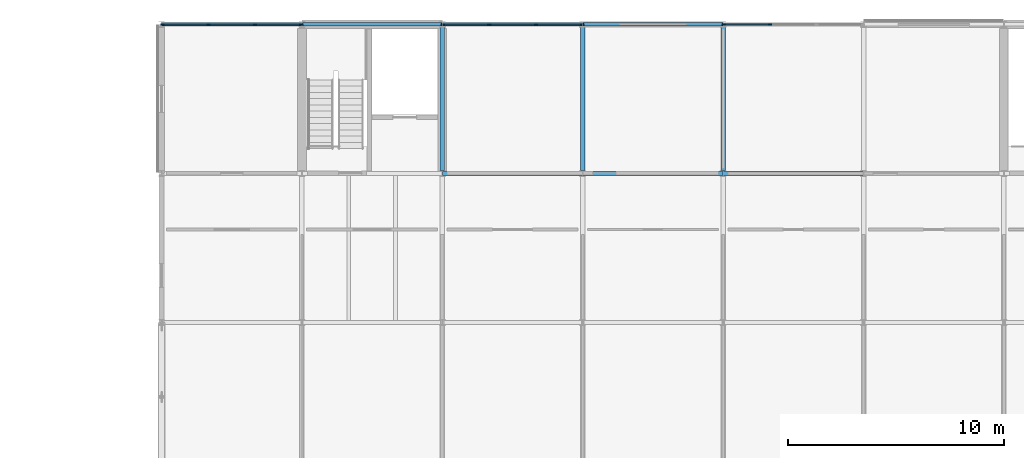
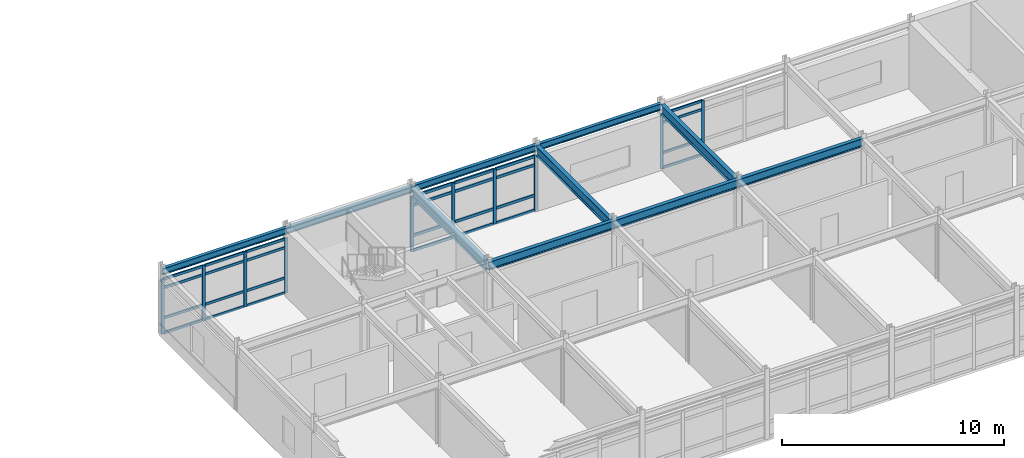
# One storey, part 27 of 57: 38 members, 10 beams, 3 elements without a shape of their own.
"""IFC4 building model written with IfcOpenShell, lengths in metres."""

from ifc_helpers import new_model, si_unit, direction, frame, origin, origin_2d, place, context, subcontext, project, spatial, rectangle, i_section, extrude, material, layer, layer_set, material_profile, profile_set, type_object, element, aggregate, save


model = new_model("IFC4")

# Units and contexts
model_context = context("Model", 3, precision=1e-05, world=origin(), true_north=direction((0.0, 1.0)))
body_context = subcontext(model_context, "Body", "Model", "MODEL_VIEW")
ifc_project = project(units=[si_unit("LENGTHUNIT", "METRE"), si_unit("AREAUNIT", "SQUARE_METRE"), si_unit("VOLUMEUNIT", "CUBIC_METRE"), si_unit("PLANEANGLEUNIT", "RADIAN"), si_unit("MASSUNIT", "GRAM", prefix="KILO")], contexts=[model_context])

# Site, building, storey
site_placement = place(None, origin())
site = spatial("IfcSite", under=ifc_project, at=site_placement, CompositionType="ELEMENT")
building_placement = place(site_placement, origin())
building = spatial("IfcBuilding", under=site, at=building_placement, Name="Trelmorton Wharf Fire Station", CompositionType="ELEMENT")
storey_placement = place(building_placement, frame((0.0, 0.0, 13.5)))
storey = spatial("IfcBuildingStorey", under=building, at=storey_placement, Name="L03", CompositionType="ELEMENT", Elevation=13.5)

# Beams
ifc_material_1 = material(Name="Steel Grade 350", Category="steel")
ifc_material_profile_1 = material_profile(ifc_material_1, i_section(OverallWidth=0.18994140625, OverallDepth=0.45703125, WebThickness=0.009033203125, FlangeThickness=0.014404296875, FilletRadius=0.011474609375, at=origin_2d()), Name="460UB74.6")
ifc_profile_set_1 = profile_set([ifc_material_profile_1], Name="Steel Grade 350")
beam_type_1 = type_object("IfcBeamType", Name="BM_460UB75", PredefinedType="BEAM", material=ifc_profile_set_1)
for number, where, z_axis, x_axis, name in (
    (1, (117.00390625, 74.10009765625, 3.401611328125), (1.0, 0.0, 0.0), (0.0, 1.0, 0.0), "BM-L03-0947"),
    (2, (123.50390625, 74.10009765625, 3.401611328125), (1.0, 0.0, 0.0), (0.0, 1.0, 0.0), "BM-L03-0948"),
    (3, (130.00390625, 74.10009765625, 3.401611328125), (1.0, 0.0, 0.0), (0.0, 1.0, 0.0), "BM-L03-0949"),
):
    element("IfcBeam", number, at=place(storey_placement, frame(where, z_axis=z_axis, x_axis=x_axis)), inside=storey, type_object=beam_type_1, Name=name, PredefinedType="BEAM", context=body_context, shape_type="SweptSolid", body=[
        extrude(i_section(OverallWidth=0.18994140625, OverallDepth=0.45703125, WebThickness=0.009033203125, FlangeThickness=0.014404296875, FilletRadius=0.011474609375, at=origin_2d()), origin(), (0.0, 0.0, 1.0), 6.4921875),
    ])
ifc_material_profile_2 = material_profile(ifc_material_1, i_section(OverallWidth=0.208984375, OverallDepth=0.532958984375, WebThickness=0.01025390625, FlangeThickness=0.015625, FilletRadius=0.013916015625, at=origin_2d()), Name="530UB92.4")
ifc_profile_set_2 = profile_set([ifc_material_profile_2], Name="Steel Grade 350")
beam_type_2 = type_object("IfcBeamType", Name="BM_530UB92", PredefinedType="BEAM", material=ifc_profile_set_2)
for number, where, z_axis, x_axis, name in (
    (4, (117.0, 74.22607421875, 3.363525390625), (0.0, 1.0, 0.0), (-1.0, 0.0, 0.0), "BM-L03-0994"),
    (5, (123.5, 74.22607421875, 3.363525390625), (0.0, 1.0, 0.0), (-1.0, 0.0, 0.0), "BM-L03-1000"),
    (6, (130.0, 74.22607421875, 3.363525390625), (0.0, 1.0, 0.0), (-1.0, 0.0, 0.0), "BM-L03-1006"),
):
    element("IfcBeam", number, at=place(storey_placement, frame(where, z_axis=z_axis, x_axis=x_axis)), inside=storey, type_object=beam_type_2, Name=name, PredefinedType="BEAM", context=body_context, shape_type="SweptSolid", body=[
        extrude(i_section(OverallWidth=0.208984375, OverallDepth=0.532958984375, WebThickness=0.01025390625, FlangeThickness=0.015625, FilletRadius=0.013916015625, at=origin_2d()), origin(), (0.0, 0.0, 1.0), 6.64794921875),
    ])

# Curtain wall, members
ifc_material_2 = material(Name="Anodised aluminium AW-6063", Category="aluminium")
ifc_layer = layer(ifc_material_2, 0.14990234375)
ifc_layer_set = layer_set([ifc_layer], Name="Anodised aluminium AW-6063")
curtain_wall_type = type_object("IfcCurtainWallType", Name="CW_UNIT_A", PredefinedType="USERDEFINED", material=ifc_layer_set)
curtain_wall_1_placement = place(storey_placement, origin())
curtain_wall_1 = element("IfcCurtainWall", 7, at=curtain_wall_1_placement, inside=storey, type_object=curtain_wall_type, Name="CW-V4-L03-151", ObjectType="UNITISED CURTAIN WALL", PredefinedType="USERDEFINED")
ifc_material_profile_3 = material_profile(ifc_material_2, rectangle(XDim=0.06494140625, YDim=0.159912109375, at=origin_2d()), Name="ALU-65x160")
ifc_profile_set_3 = profile_set([ifc_material_profile_3], Name="Anodised aluminium AW-6063")
member_type_1 = type_object("IfcMemberType", Name="CWM_65x160", PredefinedType="MULLION", material=ifc_profile_set_3)
member_1_placement = place(storey_placement, frame((104.034912109375, 81.0, 0.0), z_axis=(0.0, 0.0, 1.0), x_axis=(0.0, 1.0, 0.0)))
member_1 = element("IfcMember", 8, at=member_1_placement, type_object=member_type_1, Name="CW3 mullion 1", PredefinedType="MULLION", context=body_context, shape_type="SweptSolid", body=[
    extrude(rectangle(XDim=0.06494140625, YDim=0.159912109375, at=origin_2d()), origin(), (0.0, 0.0, 1.0), 3.02001953125),
])
member_2_placement = place(storey_placement, frame((106.168212890625, 81.0, 0.0), z_axis=(0.0, 0.0, 1.0), x_axis=(0.0, 1.0, 0.0)))
member_2 = element("IfcMember", 9, at=member_2_placement, type_object=member_type_1, Name="CW3 mullion 2", PredefinedType="MULLION", context=body_context, shape_type="SweptSolid", body=[
    extrude(rectangle(XDim=0.06494140625, YDim=0.159912109375, at=origin_2d()), origin(), (0.0, 0.0, 1.0), 3.02001953125),
])
member_3_placement = place(storey_placement, frame((108.331787109375, 81.0, 0.0), z_axis=(0.0, 0.0, 1.0), x_axis=(0.0, 1.0, 0.0)))
member_3 = element("IfcMember", 10, at=member_3_placement, type_object=member_type_1, Name="CW3 mullion 3", PredefinedType="MULLION", context=body_context, shape_type="SweptSolid", body=[
    extrude(rectangle(XDim=0.06494140625, YDim=0.159912109375, at=origin_2d()), origin(), (0.0, 0.0, 1.0), 3.02001953125),
])
member_4_placement = place(storey_placement, frame((110.465087890625, 81.0, 0.0), z_axis=(0.0, 0.0, 1.0), x_axis=(0.0, 1.0, 0.0)))
member_4 = element("IfcMember", 11, at=member_4_placement, type_object=member_type_1, Name="CW3 mullion 4", PredefinedType="MULLION", context=body_context, shape_type="SweptSolid", body=[
    extrude(rectangle(XDim=0.06494140625, YDim=0.159912109375, at=origin_2d()), origin(), (0.0, 0.0, 1.0), 3.02001953125),
])

curtain_wall_2_placement = place(storey_placement, origin())
curtain_wall_2 = element("IfcCurtainWall", 12, at=curtain_wall_2_placement, inside=storey, type_object=curtain_wall_type, Name="CW-V4-L03-153", ObjectType="UNITISED CURTAIN WALL", PredefinedType="USERDEFINED")
member_5_placement = place(storey_placement, frame((130.034912109375, 81.0, 0.0), z_axis=(0.0, 0.0, 1.0), x_axis=(0.0, 1.0, 0.0)))
member_5 = element("IfcMember", 13, at=member_5_placement, type_object=member_type_1, Name="CW3 mullion 1", PredefinedType="MULLION", context=body_context, shape_type="SweptSolid", body=[
    extrude(rectangle(XDim=0.06494140625, YDim=0.159912109375, at=origin_2d()), origin(), (0.0, 0.0, 1.0), 3.02001953125),
])
member_6_placement = place(storey_placement, frame((132.168212890625, 81.0, 0.0), z_axis=(0.0, 0.0, 1.0), x_axis=(0.0, 1.0, 0.0)))
member_6 = element("IfcMember", 14, at=member_6_placement, type_object=member_type_1, Name="CW3 mullion 2", PredefinedType="MULLION", context=body_context, shape_type="SweptSolid", body=[
    extrude(rectangle(XDim=0.06494140625, YDim=0.159912109375, at=origin_2d()), origin(), (0.0, 0.0, 1.0), 3.02001953125),
])

curtain_wall_3_placement = place(storey_placement, origin())
curtain_wall_3 = element("IfcCurtainWall", 15, at=curtain_wall_3_placement, inside=storey, type_object=curtain_wall_type, Name="CW-V4-L03-152", ObjectType="UNITISED CURTAIN WALL", PredefinedType="USERDEFINED")
ifc_material_profile_4 = material_profile(ifc_material_2, rectangle(XDim=0.074951171875, YDim=0.175048828125, at=origin_2d()), Name="ALU-75x175")
ifc_profile_set_4 = profile_set([ifc_material_profile_4], Name="Anodised aluminium AW-6063")
member_type_2 = type_object("IfcMemberType", Name="CWM_75x175", PredefinedType="MULLION", material=ifc_profile_set_4)
member_7_placement = place(storey_placement, frame((117.034912109375, 81.0, 0.0), z_axis=(0.0, 0.0, 1.0), x_axis=(0.0, 1.0, 0.0)))
member_7 = element("IfcMember", 16, at=member_7_placement, type_object=member_type_2, Name="CW3 mullion 1", PredefinedType="MULLION", context=body_context, shape_type="SweptSolid", body=[
    extrude(rectangle(XDim=0.074951171875, YDim=0.175048828125, at=origin_2d()), origin(), (0.0, 0.0, 1.0), 3.02001953125),
])
member_8_placement = place(storey_placement, frame((119.168212890625, 81.0, 0.0), z_axis=(0.0, 0.0, 1.0), x_axis=(0.0, 1.0, 0.0)))
member_8 = element("IfcMember", 17, at=member_8_placement, type_object=member_type_2, Name="CW3 mullion 2", PredefinedType="MULLION", context=body_context, shape_type="SweptSolid", body=[
    extrude(rectangle(XDim=0.074951171875, YDim=0.175048828125, at=origin_2d()), origin(), (0.0, 0.0, 1.0), 3.02001953125),
])
member_9_placement = place(storey_placement, frame((121.331787109375, 81.0, 0.0), z_axis=(0.0, 0.0, 1.0), x_axis=(0.0, 1.0, 0.0)))
member_9 = element("IfcMember", 18, at=member_9_placement, type_object=member_type_2, Name="CW3 mullion 3", PredefinedType="MULLION", context=body_context, shape_type="SweptSolid", body=[
    extrude(rectangle(XDim=0.074951171875, YDim=0.175048828125, at=origin_2d()), origin(), (0.0, 0.0, 1.0), 3.02001953125),
])
member_10_placement = place(storey_placement, frame((123.465087890625, 81.0, 0.0), z_axis=(0.0, 0.0, 1.0), x_axis=(0.0, 1.0, 0.0)))
member_10 = element("IfcMember", 19, at=member_10_placement, type_object=member_type_2, Name="CW3 mullion 4", PredefinedType="MULLION", context=body_context, shape_type="SweptSolid", body=[
    extrude(rectangle(XDim=0.074951171875, YDim=0.175048828125, at=origin_2d()), origin(), (0.0, 0.0, 1.0), 3.02001953125),
])

# Member
ifc_material_profile_5 = material_profile(ifc_material_2, rectangle(XDim=0.06494140625, YDim=0.139892578125, at=origin_2d()), Name="ALU-65x140")
ifc_profile_set_5 = profile_set([ifc_material_profile_5], Name="Anodised aluminium AW-6063")
member_type_3 = type_object("IfcMemberType", Name="CWT_65x140", PredefinedType="USERDEFINED", material=ifc_profile_set_5)
member_11_placement = place(storey_placement, frame((104.06494140625, 81.0, 0.030029296875), z_axis=(1.0, 0.0, 0.0), x_axis=(0.0, 1.0, 0.0)))
member_11 = element("IfcMember", 20, at=member_11_placement, type_object=member_type_3, Name="CW3 transom 1.1", ObjectType="TRANSOM", PredefinedType="USERDEFINED", context=body_context, shape_type="SweptSolid", body=[
    extrude(rectangle(XDim=0.06494140625, YDim=0.139892578125, at=origin_2d()), origin(), (0.0, 0.0, 1.0), 2.073486328125),
])

member_12_placement = place(storey_placement, frame((104.06494140625, 81.0, 0.85009765625), z_axis=(1.0, 0.0, 0.0), x_axis=(0.0, 1.0, 0.0)))
member_12 = element("IfcMember", 21, at=member_12_placement, type_object=member_type_3, Name="CW3 transom 1.2", ObjectType="TRANSOM", PredefinedType="USERDEFINED", context=body_context, shape_type="SweptSolid", body=[
    extrude(rectangle(XDim=0.06494140625, YDim=0.139892578125, at=origin_2d()), origin(), (0.0, 0.0, 1.0), 2.073486328125),
])

member_13_placement = place(storey_placement, frame((104.06494140625, 81.0, 2.52001953125), z_axis=(1.0, 0.0, 0.0), x_axis=(0.0, 1.0, 0.0)))
member_13 = element("IfcMember", 22, at=member_13_placement, type_object=member_type_3, Name="CW3 transom 1.3", ObjectType="TRANSOM", PredefinedType="USERDEFINED", context=body_context, shape_type="SweptSolid", body=[
    extrude(rectangle(XDim=0.06494140625, YDim=0.139892578125, at=origin_2d()), origin(), (0.0, 0.0, 1.0), 2.073486328125),
])

member_14_placement = place(storey_placement, frame((104.06494140625, 81.0, 2.989990234375), z_axis=(1.0, 0.0, 0.0), x_axis=(0.0, 1.0, 0.0)))
member_14 = element("IfcMember", 23, at=member_14_placement, type_object=member_type_3, Name="CW3 transom 1.4", ObjectType="TRANSOM", PredefinedType="USERDEFINED", context=body_context, shape_type="SweptSolid", body=[
    extrude(rectangle(XDim=0.06494140625, YDim=0.139892578125, at=origin_2d()), origin(), (0.0, 0.0, 1.0), 2.073486328125),
])

member_15_placement = place(storey_placement, frame((106.1982421875, 81.0, 0.030029296875), z_axis=(1.0, 0.0, 0.0), x_axis=(0.0, 1.0, 0.0)))
member_15 = element("IfcMember", 24, at=member_15_placement, type_object=member_type_3, Name="CW3 transom 2.1", ObjectType="TRANSOM", PredefinedType="USERDEFINED", context=body_context, shape_type="SweptSolid", body=[
    extrude(rectangle(XDim=0.06494140625, YDim=0.139892578125, at=origin_2d()), origin(), (0.0, 0.0, 1.0), 2.103515625),
])

member_16_placement = place(storey_placement, frame((106.1982421875, 81.0, 0.85009765625), z_axis=(1.0, 0.0, 0.0), x_axis=(0.0, 1.0, 0.0)))
member_16 = element("IfcMember", 25, at=member_16_placement, type_object=member_type_3, Name="CW3 transom 2.2", ObjectType="TRANSOM", PredefinedType="USERDEFINED", context=body_context, shape_type="SweptSolid", body=[
    extrude(rectangle(XDim=0.06494140625, YDim=0.139892578125, at=origin_2d()), origin(), (0.0, 0.0, 1.0), 2.103515625),
])

member_17_placement = place(storey_placement, frame((106.1982421875, 81.0, 2.52001953125), z_axis=(1.0, 0.0, 0.0), x_axis=(0.0, 1.0, 0.0)))
member_17 = element("IfcMember", 26, at=member_17_placement, type_object=member_type_3, Name="CW3 transom 2.3", ObjectType="TRANSOM", PredefinedType="USERDEFINED", context=body_context, shape_type="SweptSolid", body=[
    extrude(rectangle(XDim=0.06494140625, YDim=0.139892578125, at=origin_2d()), origin(), (0.0, 0.0, 1.0), 2.103515625),
])

member_18_placement = place(storey_placement, frame((106.1982421875, 81.0, 2.989990234375), z_axis=(1.0, 0.0, 0.0), x_axis=(0.0, 1.0, 0.0)))
member_18 = element("IfcMember", 27, at=member_18_placement, type_object=member_type_3, Name="CW3 transom 2.4", ObjectType="TRANSOM", PredefinedType="USERDEFINED", context=body_context, shape_type="SweptSolid", body=[
    extrude(rectangle(XDim=0.06494140625, YDim=0.139892578125, at=origin_2d()), origin(), (0.0, 0.0, 1.0), 2.103515625),
])

member_19_placement = place(storey_placement, frame((108.361572265625, 81.0, 0.030029296875), z_axis=(1.0, 0.0, 0.0), x_axis=(0.0, 1.0, 0.0)))
member_19 = element("IfcMember", 28, at=member_19_placement, type_object=member_type_3, Name="CW3 transom 3.1", ObjectType="TRANSOM", PredefinedType="USERDEFINED", context=body_context, shape_type="SweptSolid", body=[
    extrude(rectangle(XDim=0.06494140625, YDim=0.139892578125, at=origin_2d()), origin(), (0.0, 0.0, 1.0), 2.073486328125),
])

member_20_placement = place(storey_placement, frame((108.361572265625, 81.0, 0.85009765625), z_axis=(1.0, 0.0, 0.0), x_axis=(0.0, 1.0, 0.0)))
member_20 = element("IfcMember", 29, at=member_20_placement, type_object=member_type_3, Name="CW3 transom 3.2", ObjectType="TRANSOM", PredefinedType="USERDEFINED", context=body_context, shape_type="SweptSolid", body=[
    extrude(rectangle(XDim=0.06494140625, YDim=0.139892578125, at=origin_2d()), origin(), (0.0, 0.0, 1.0), 2.073486328125),
])

member_21_placement = place(storey_placement, frame((108.361572265625, 81.0, 2.52001953125), z_axis=(1.0, 0.0, 0.0), x_axis=(0.0, 1.0, 0.0)))
member_21 = element("IfcMember", 30, at=member_21_placement, type_object=member_type_3, Name="CW3 transom 3.3", ObjectType="TRANSOM", PredefinedType="USERDEFINED", context=body_context, shape_type="SweptSolid", body=[
    extrude(rectangle(XDim=0.06494140625, YDim=0.139892578125, at=origin_2d()), origin(), (0.0, 0.0, 1.0), 2.073486328125),
])

member_22_placement = place(storey_placement, frame((108.361572265625, 81.0, 2.989990234375), z_axis=(1.0, 0.0, 0.0), x_axis=(0.0, 1.0, 0.0)))
member_22 = element("IfcMember", 31, at=member_22_placement, type_object=member_type_3, Name="CW3 transom 3.4", ObjectType="TRANSOM", PredefinedType="USERDEFINED", context=body_context, shape_type="SweptSolid", body=[
    extrude(rectangle(XDim=0.06494140625, YDim=0.139892578125, at=origin_2d()), origin(), (0.0, 0.0, 1.0), 2.073486328125),
])

aggregate(curtain_wall_1, [member_1, member_2, member_3, member_4, member_11, member_12, member_13, member_14, member_15, member_16, member_17, member_18, member_19, member_20, member_21, member_22])

member_23_placement = place(storey_placement, frame((130.06494140625, 81.0, 0.030029296875), z_axis=(1.0, 0.0, 0.0), x_axis=(0.0, 1.0, 0.0)))
member_23 = element("IfcMember", 32, at=member_23_placement, type_object=member_type_3, Name="CW3 transom 1.1", ObjectType="TRANSOM", PredefinedType="USERDEFINED", context=body_context, shape_type="SweptSolid", body=[
    extrude(rectangle(XDim=0.06494140625, YDim=0.139892578125, at=origin_2d()), origin(), (0.0, 0.0, 1.0), 2.073486328125),
])

member_24_placement = place(storey_placement, frame((130.06494140625, 81.0, 0.85009765625), z_axis=(1.0, 0.0, 0.0), x_axis=(0.0, 1.0, 0.0)))
member_24 = element("IfcMember", 33, at=member_24_placement, type_object=member_type_3, Name="CW3 transom 1.2", ObjectType="TRANSOM", PredefinedType="USERDEFINED", context=body_context, shape_type="SweptSolid", body=[
    extrude(rectangle(XDim=0.06494140625, YDim=0.139892578125, at=origin_2d()), origin(), (0.0, 0.0, 1.0), 2.073486328125),
])

member_25_placement = place(storey_placement, frame((130.06494140625, 81.0, 2.52001953125), z_axis=(1.0, 0.0, 0.0), x_axis=(0.0, 1.0, 0.0)))
member_25 = element("IfcMember", 34, at=member_25_placement, type_object=member_type_3, Name="CW3 transom 1.3", ObjectType="TRANSOM", PredefinedType="USERDEFINED", context=body_context, shape_type="SweptSolid", body=[
    extrude(rectangle(XDim=0.06494140625, YDim=0.139892578125, at=origin_2d()), origin(), (0.0, 0.0, 1.0), 2.073486328125),
])

member_26_placement = place(storey_placement, frame((130.06494140625, 81.0, 2.989990234375), z_axis=(1.0, 0.0, 0.0), x_axis=(0.0, 1.0, 0.0)))
member_26 = element("IfcMember", 35, at=member_26_placement, type_object=member_type_3, Name="CW3 transom 1.4", ObjectType="TRANSOM", PredefinedType="USERDEFINED", context=body_context, shape_type="SweptSolid", body=[
    extrude(rectangle(XDim=0.06494140625, YDim=0.139892578125, at=origin_2d()), origin(), (0.0, 0.0, 1.0), 2.073486328125),
])

aggregate(curtain_wall_2, [member_5, member_6, member_23, member_24, member_25, member_26])

ifc_material_profile_6 = material_profile(ifc_material_2, rectangle(XDim=0.074951171875, YDim=0.155029296875, at=origin_2d()), Name="ALU-75x155")
ifc_profile_set_6 = profile_set([ifc_material_profile_6], Name="Anodised aluminium AW-6063")
member_type_4 = type_object("IfcMemberType", Name="CWT_75x155", PredefinedType="USERDEFINED", material=ifc_profile_set_6)
member_27_placement = place(storey_placement, frame((117.06494140625, 81.0, 0.030029296875), z_axis=(1.0, 0.0, 0.0), x_axis=(0.0, 1.0, 0.0)))
member_27 = element("IfcMember", 36, at=member_27_placement, type_object=member_type_4, Name="CW3 transom 1.1", ObjectType="TRANSOM", PredefinedType="USERDEFINED", context=body_context, shape_type="SweptSolid", body=[
    extrude(rectangle(XDim=0.074951171875, YDim=0.155029296875, at=origin_2d()), origin(), (0.0, 0.0, 1.0), 2.073486328125),
])

member_28_placement = place(storey_placement, frame((117.06494140625, 81.0, 0.85009765625), z_axis=(1.0, 0.0, 0.0), x_axis=(0.0, 1.0, 0.0)))
member_28 = element("IfcMember", 37, at=member_28_placement, type_object=member_type_4, Name="CW3 transom 1.2", ObjectType="TRANSOM", PredefinedType="USERDEFINED", context=body_context, shape_type="SweptSolid", body=[
    extrude(rectangle(XDim=0.074951171875, YDim=0.155029296875, at=origin_2d()), origin(), (0.0, 0.0, 1.0), 2.073486328125),
])

member_29_placement = place(storey_placement, frame((117.06494140625, 81.0, 2.52001953125), z_axis=(1.0, 0.0, 0.0), x_axis=(0.0, 1.0, 0.0)))
member_29 = element("IfcMember", 38, at=member_29_placement, type_object=member_type_4, Name="CW3 transom 1.3", ObjectType="TRANSOM", PredefinedType="USERDEFINED", context=body_context, shape_type="SweptSolid", body=[
    extrude(rectangle(XDim=0.074951171875, YDim=0.155029296875, at=origin_2d()), origin(), (0.0, 0.0, 1.0), 2.073486328125),
])

member_30_placement = place(storey_placement, frame((117.06494140625, 81.0, 2.989990234375), z_axis=(1.0, 0.0, 0.0), x_axis=(0.0, 1.0, 0.0)))
member_30 = element("IfcMember", 39, at=member_30_placement, type_object=member_type_4, Name="CW3 transom 1.4", ObjectType="TRANSOM", PredefinedType="USERDEFINED", context=body_context, shape_type="SweptSolid", body=[
    extrude(rectangle(XDim=0.074951171875, YDim=0.155029296875, at=origin_2d()), origin(), (0.0, 0.0, 1.0), 2.073486328125),
])

member_31_placement = place(storey_placement, frame((119.1982421875, 81.0, 0.030029296875), z_axis=(1.0, 0.0, 0.0), x_axis=(0.0, 1.0, 0.0)))
member_31 = element("IfcMember", 40, at=member_31_placement, type_object=member_type_4, Name="CW3 transom 2.1", ObjectType="TRANSOM", PredefinedType="USERDEFINED", context=body_context, shape_type="SweptSolid", body=[
    extrude(rectangle(XDim=0.074951171875, YDim=0.155029296875, at=origin_2d()), origin(), (0.0, 0.0, 1.0), 2.103515625),
])

member_32_placement = place(storey_placement, frame((119.1982421875, 81.0, 0.85009765625), z_axis=(1.0, 0.0, 0.0), x_axis=(0.0, 1.0, 0.0)))
member_32 = element("IfcMember", 41, at=member_32_placement, type_object=member_type_4, Name="CW3 transom 2.2", ObjectType="TRANSOM", PredefinedType="USERDEFINED", context=body_context, shape_type="SweptSolid", body=[
    extrude(rectangle(XDim=0.074951171875, YDim=0.155029296875, at=origin_2d()), origin(), (0.0, 0.0, 1.0), 2.103515625),
])

member_33_placement = place(storey_placement, frame((119.1982421875, 81.0, 2.52001953125), z_axis=(1.0, 0.0, 0.0), x_axis=(0.0, 1.0, 0.0)))
member_33 = element("IfcMember", 42, at=member_33_placement, type_object=member_type_4, Name="CW3 transom 2.3", ObjectType="TRANSOM", PredefinedType="USERDEFINED", context=body_context, shape_type="SweptSolid", body=[
    extrude(rectangle(XDim=0.074951171875, YDim=0.155029296875, at=origin_2d()), origin(), (0.0, 0.0, 1.0), 2.103515625),
])

member_34_placement = place(storey_placement, frame((119.1982421875, 81.0, 2.989990234375), z_axis=(1.0, 0.0, 0.0), x_axis=(0.0, 1.0, 0.0)))
member_34 = element("IfcMember", 43, at=member_34_placement, type_object=member_type_4, Name="CW3 transom 2.4", ObjectType="TRANSOM", PredefinedType="USERDEFINED", context=body_context, shape_type="SweptSolid", body=[
    extrude(rectangle(XDim=0.074951171875, YDim=0.155029296875, at=origin_2d()), origin(), (0.0, 0.0, 1.0), 2.103515625),
])

member_35_placement = place(storey_placement, frame((121.361572265625, 81.0, 0.030029296875), z_axis=(1.0, 0.0, 0.0), x_axis=(0.0, 1.0, 0.0)))
member_35 = element("IfcMember", 44, at=member_35_placement, type_object=member_type_4, Name="CW3 transom 3.1", ObjectType="TRANSOM", PredefinedType="USERDEFINED", context=body_context, shape_type="SweptSolid", body=[
    extrude(rectangle(XDim=0.074951171875, YDim=0.155029296875, at=origin_2d()), origin(), (0.0, 0.0, 1.0), 2.073486328125),
])

member_36_placement = place(storey_placement, frame((121.361572265625, 81.0, 0.85009765625), z_axis=(1.0, 0.0, 0.0), x_axis=(0.0, 1.0, 0.0)))
member_36 = element("IfcMember", 45, at=member_36_placement, type_object=member_type_4, Name="CW3 transom 3.2", ObjectType="TRANSOM", PredefinedType="USERDEFINED", context=body_context, shape_type="SweptSolid", body=[
    extrude(rectangle(XDim=0.074951171875, YDim=0.155029296875, at=origin_2d()), origin(), (0.0, 0.0, 1.0), 2.073486328125),
])

member_37_placement = place(storey_placement, frame((121.361572265625, 81.0, 2.52001953125), z_axis=(1.0, 0.0, 0.0), x_axis=(0.0, 1.0, 0.0)))
member_37 = element("IfcMember", 46, at=member_37_placement, type_object=member_type_4, Name="CW3 transom 3.3", ObjectType="TRANSOM", PredefinedType="USERDEFINED", context=body_context, shape_type="SweptSolid", body=[
    extrude(rectangle(XDim=0.074951171875, YDim=0.155029296875, at=origin_2d()), origin(), (0.0, 0.0, 1.0), 2.073486328125),
])

member_38_placement = place(storey_placement, frame((121.361572265625, 81.0, 2.989990234375), z_axis=(1.0, 0.0, 0.0), x_axis=(0.0, 1.0, 0.0)))
member_38 = element("IfcMember", 47, at=member_38_placement, type_object=member_type_4, Name="CW3 transom 3.4", ObjectType="TRANSOM", PredefinedType="USERDEFINED", context=body_context, shape_type="SweptSolid", body=[
    extrude(rectangle(XDim=0.074951171875, YDim=0.155029296875, at=origin_2d()), origin(), (0.0, 0.0, 1.0), 2.073486328125),
])

aggregate(curtain_wall_3, [member_7, member_8, member_9, member_10, member_27, member_28, member_29, member_30, member_31, member_32, member_33, member_34, member_35, member_36, member_37, member_38])

# Beams
ifc_material_profile_7 = material_profile(ifc_material_1, i_section(OverallWidth=0.1708984375, OverallDepth=0.35595703125, WebThickness=0.00732421875, FlangeThickness=0.011474609375, FilletRadius=0.011474609375, at=origin_2d()), Name="360UB50.7")
ifc_profile_set_7 = profile_set([ifc_material_profile_7], Name="Steel Grade 350")
beam_type_3 = type_object("IfcBeamType", Name="SP_360UB51", PredefinedType="SPANDREL", material=ifc_profile_set_7)
for number, where, z_axis, x_axis, name in (
    (48, (104.00390625, 81.0, 3.451904296875), (1.0, 0.0, 0.0), (0.0, 1.0, 0.0), "BM-L03-0956"),
    (49, (110.50390625, 81.0, 3.451904296875), (1.0, 0.0, 0.0), (0.0, 1.0, 0.0), "BM-L03-0957"),
    (50, (117.00390625, 81.0, 3.451904296875), (1.0, 0.0, 0.0), (0.0, 1.0, 0.0), "BM-L03-0958"),
    (51, (123.50390625, 81.0, 3.451904296875), (1.0, 0.0, 0.0), (0.0, 1.0, 0.0), "BM-L03-0959"),
):
    element("IfcBeam", number, at=place(storey_placement, frame(where, z_axis=z_axis, x_axis=x_axis)), inside=storey, type_object=beam_type_3, Name=name, PredefinedType="SPANDREL", context=body_context, shape_type="SweptSolid", body=[
        extrude(i_section(OverallWidth=0.1708984375, OverallDepth=0.35595703125, WebThickness=0.00732421875, FlangeThickness=0.011474609375, FilletRadius=0.011474609375, at=origin_2d()), origin(), (0.0, 0.0, 1.0), 6.4921875),
    ])

save(model, "model.ifc")
